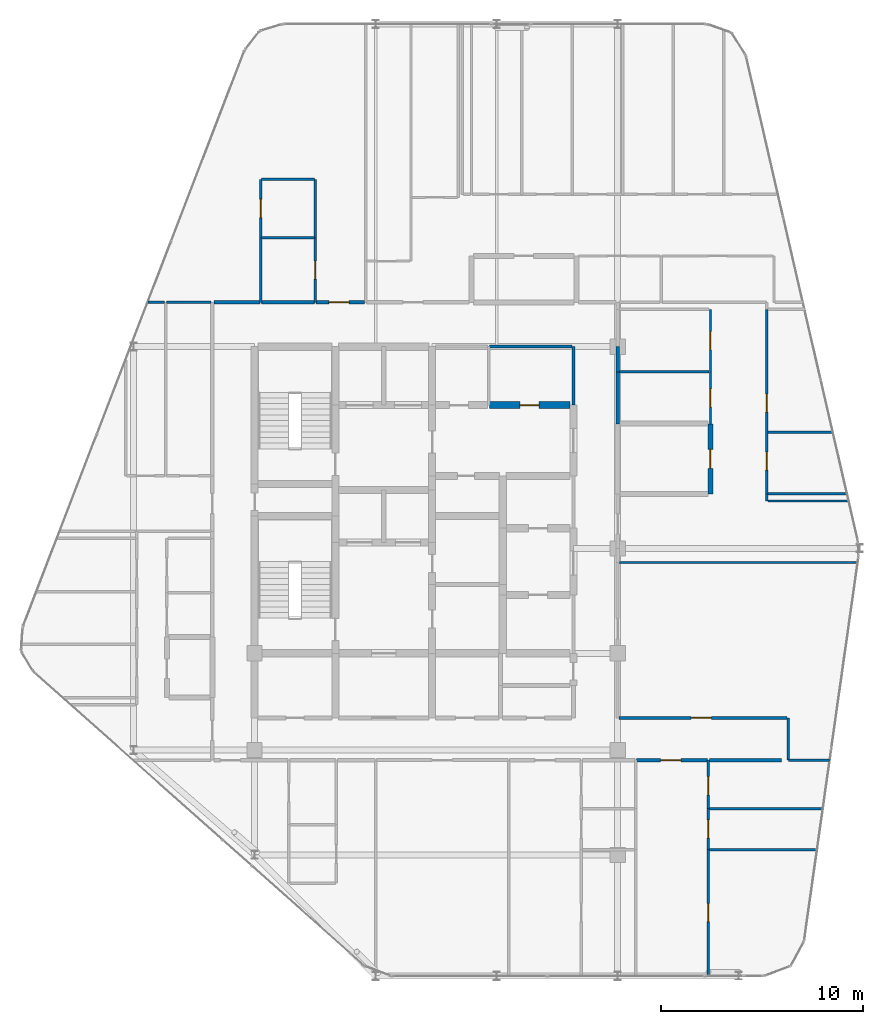
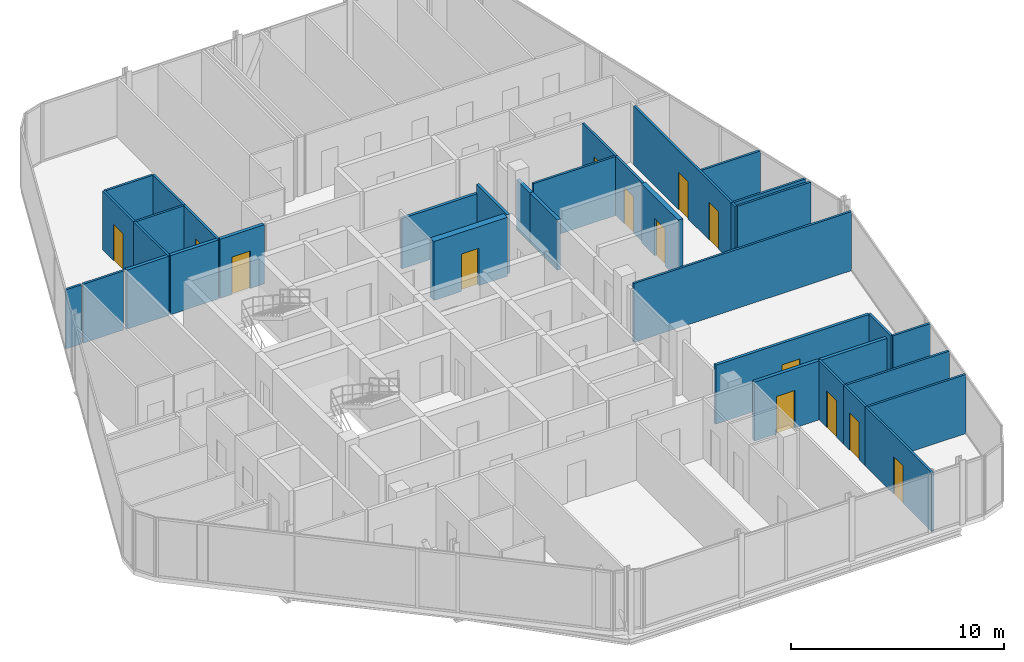
# One storey, part 28 of 31: 36 walls, 14 doors, 14 openings.
"""IFC4 building model written with IfcOpenShell, lengths in metres."""

import ifcopenshell
import ifcopenshell.guid

model = None  # the IFC model being written
_history = None  # IfcOwnerHistory: only IFC2X3 demands one
_inside = {}  # id of a spatial element -> (the spatial element, [elements in it])
_under = {}  # id of a project, library or spatial element -> (it, [spatial elements below it])
_declared = {}  # id of a project -> (the project, [libraries it declares])
_typed = {}  # id of a type object -> (the type object, [elements of that type])
_made_of = {}  # id of a material, layer set ... -> (it, [elements and type objects made of it])


def new_model(schema):
    """Start an empty IFC model of exactly this schema.

    Asked for "IFC4X3", IfcOpenShell would pick the latest addendum, in which some entities
    have other attributes; the version numbers below select the first issue.
    IFC2X3 requires an IfcOwnerHistory on every rooted entity: one is made here for all.
    """
    global model, _history
    if schema == "IFC4X3":
        model = ifcopenshell.file(schema_version=(4, 3, 0, 0))
    else:
        model = ifcopenshell.file(schema=schema)
    _inside.clear()
    _under.clear()
    _declared.clear()
    _typed.clear()
    _made_of.clear()
    _history = None
    if model.schema == "IFC2X3":
        org = make("IfcOrganization", Name="unknown")
        user = make(
            "IfcPersonAndOrganization",
            ThePerson=make("IfcPerson", FamilyName="unknown"),
            TheOrganization=org,
        )
        app = make(
            "IfcApplication",
            ApplicationDeveloper=org,
            Version="unknown",
            ApplicationFullName="unknown",
            ApplicationIdentifier="unknown",
        )
        _history = make(
            "IfcOwnerHistory",
            OwningUser=user,
            OwningApplication=app,
            ChangeAction="ADDED",
            CreationDate=0,
        )
    return model


def make(cls, **values):
    """One entity of the class cls with the attributes given. An attribute that is None is left unset."""
    return model.create_entity(
        cls, **{name: value for name, value in values.items() if value is not None}
    )


def rooted(cls, **values):
    """An entity with a GlobalId (a new one), such as an element, a storey or a relation."""
    return make(cls, GlobalId=ifcopenshell.guid.new(), OwnerHistory=_history, **values)


def si_unit(unit_type, name, prefix=None):
    """IfcSIUnit, for example si_unit("LENGTHUNIT", "METRE", prefix="MILLI")."""
    return make("IfcSIUnit", UnitType=unit_type, Prefix=prefix, Name=name)


def assignment(units):
    """IfcUnitAssignment: the units of a project."""
    return None if units is None else make("IfcUnitAssignment", Units=units)


def point(xyz):
    """IfcCartesianPoint."""
    return None if xyz is None else make("IfcCartesianPoint", Coordinates=xyz)


def direction(xyz):
    """IfcDirection."""
    return None if xyz is None else make("IfcDirection", DirectionRatios=xyz)


def frame(location, z_axis=None, x_axis=None):
    """IfcAxis2Placement3D, a coordinate frame: its origin and axes. An axis left out is left unset."""
    return make(
        "IfcAxis2Placement3D",
        Location=point(location),
        Axis=direction(z_axis),
        RefDirection=direction(x_axis),
    )


def frame_2d(location, x_axis=None):
    """IfcAxis2Placement2D, a coordinate frame in the plane: its origin and x axis."""
    return make(
        "IfcAxis2Placement2D", Location=point(location), RefDirection=direction(x_axis)
    )


def origin():
    """The frame at (0, 0, 0) with its axes left unset."""
    return frame((0.0, 0.0, 0.0))


def place(relative_to, where):
    """IfcLocalPlacement: puts the frame where relative to a parent placement (None: the world)."""
    return make(
        "IfcLocalPlacement", PlacementRelTo=relative_to, RelativePlacement=where
    )


def context(
    kind, dimensions, precision=None, world=None, true_north=None, identifier=None
):
    """IfcGeometricRepresentationContext, for example the 3D "Model" context."""
    return make(
        "IfcGeometricRepresentationContext",
        ContextIdentifier=identifier,
        ContextType=kind,
        CoordinateSpaceDimension=dimensions,
        Precision=precision,
        WorldCoordinateSystem=world,
        TrueNorth=true_north,
    )


def subcontext(parent, identifier, kind, view, scale=None):
    """IfcGeometricRepresentationSubContext, for example "Body" below "Model"."""
    return make(
        "IfcGeometricRepresentationSubContext",
        ContextIdentifier=identifier,
        ContextType=kind,
        ParentContext=parent,
        TargetScale=scale,
        TargetView=view,
    )


def project(units=None, contexts=None):
    """IfcProject with its units and contexts."""
    return rooted(
        "IfcProject",
        Name="project",
        RepresentationContexts=contexts,
        UnitsInContext=assignment(units),
    )


def spatial(cls, under=None, at=None, **own):
    """A site, building, storey or space (cls), placed at a placement, below another one or the project."""
    s = rooted(cls, ObjectPlacement=at, **own)
    if under is not None:
        _under.setdefault(under.id(), (under, []))[1].append(s)
    return s


def profile(cls, at=None, kind="AREA", **sizes):
    """A parametric profile (cls). Its sizes go by their IFC names, for example OverallWidth=200.0."""
    return make(cls, ProfileType=kind, Position=at, **sizes)


def rectangle(**sizes):
    """IfcRectangleProfileDef."""
    return profile("IfcRectangleProfileDef", **sizes)


def extrude(swept, where, along, depth):
    """IfcExtrudedAreaSolid: the profile swept, set in the frame where, extruded along a direction by depth."""
    return make(
        "IfcExtrudedAreaSolid",
        SweptArea=swept,
        Position=where,
        ExtrudedDirection=direction(along),
        Depth=depth,
    )


def shape(context_of_items, identifier, shape_type, items):
    """IfcShapeRepresentation: the items that make up one representation, for example the "Body"."""
    return make(
        "IfcShapeRepresentation",
        ContextOfItems=context_of_items,
        RepresentationIdentifier=identifier,
        RepresentationType=shape_type,
        Items=items,
    )


def material(Name=None, Category=None):
    """IfcMaterial."""
    return make("IfcMaterial", Name=Name, Category=Category)


def layer(
    of_material, thickness, ventilated=None, Name=None, Category=None, Priority=None
):
    """IfcMaterialLayer: one layer of a wall or slab, of a material (None: an air gap)."""
    return make(
        "IfcMaterialLayer",
        Material=of_material,
        LayerThickness=thickness,
        IsVentilated=ventilated,
        Name=Name,
        Category=Category,
        Priority=Priority,
    )


def layer_set(layers, Name=None):
    """IfcMaterialLayerSet."""
    return make("IfcMaterialLayerSet", MaterialLayers=layers, LayerSetName=Name)


def made_of(thing, what):
    """Note that an element or type object is made of a material, layer set ...; save() writes the relation."""
    if what is not None:
        _made_of.setdefault(what.id(), (what, []))[1].append(thing)
    return thing


def type_object(cls, material=None, **own):
    """A type object (cls), such as IfcWallType, which elements share."""
    return made_of(rooted(cls, **own), material)


def element(
    cls,
    number,
    at=None,
    inside=None,
    cuts=None,
    type_object=None,
    material=None,
    context=None,
    identifier="Body",
    shape_type=None,
    held_by="IfcProductDefinitionShape",
    body=None,
    shapes=None,
    **own,
):
    """One element of the class cls, such as IfcWall. Its Tag is "e" and its number.

    at: its placement. inside: the storey or other place that contains it. cuts: it is an
    opening in that element (IfcRelVoidsElement). A single representation is given by context,
    identifier, shape_type and body (its items); several are given by shapes. held_by: the class
    of the entity that holds the representations. save() writes the other relations.
    """
    e = rooted(cls, Tag="e%d" % number, ObjectPlacement=at, **own)
    if body is not None:
        shapes = [shape(context, identifier, shape_type, body)]
    if shapes is not None:
        e.Representation = make(held_by, Representations=shapes)
    if inside is not None:
        _inside.setdefault(inside.id(), (inside, []))[1].append(e)
    if cuts is not None:
        rooted(
            "IfcRelVoidsElement", RelatingBuildingElement=cuts, RelatedOpeningElement=e
        )
    if type_object is not None:
        _typed.setdefault(type_object.id(), (type_object, []))[1].append(e)
    return made_of(e, material)


def fill(opening, filler):
    """IfcRelFillsElement: the door or window that sits in an opening."""
    return rooted(
        "IfcRelFillsElement",
        RelatingOpeningElement=opening,
        RelatedBuildingElement=filler,
    )


def aggregate(whole, parts):
    """IfcRelAggregates: a whole, such as a stair, and the parts it consists of."""
    return rooted("IfcRelAggregates", RelatingObject=whole, RelatedObjects=parts)


def save(model, path):
    """Write the relations noted so far, then the file.

    IfcRelAggregates (storeys below a building ...), IfcRelContainedInSpatialStructure (elements
    in a storey), IfcRelDefinesByType, IfcRelAssociatesMaterial and IfcRelDeclares: one each for
    every whole, place, type object, material and project.
    """
    for whole, parts in _under.values():
        aggregate(whole, parts)
    for where, things in _inside.values():
        rooted(
            "IfcRelContainedInSpatialStructure",
            RelatedElements=things,
            RelatingStructure=where,
        )
    for kind, things in _typed.values():
        rooted("IfcRelDefinesByType", RelatedObjects=things, RelatingType=kind)
    for what, things in _made_of.values():
        rooted("IfcRelAssociatesMaterial", RelatedObjects=things, RelatingMaterial=what)
    for by, libraries in _declared.values():
        rooted("IfcRelDeclares", RelatingContext=by, RelatedDefinitions=libraries)
    model.write(path)


model = new_model("IFC4")

# Units and contexts
model_context = context("Model", 3, precision=1e-05, world=origin(), true_north=direction((0.0, 1.0)))
body_context = subcontext(model_context, "Body", "Model", "MODEL_VIEW")
ifc_project = project(units=[si_unit("LENGTHUNIT", "METRE"), si_unit("AREAUNIT", "SQUARE_METRE"), si_unit("VOLUMEUNIT", "CUBIC_METRE"), si_unit("PLANEANGLEUNIT", "RADIAN"), si_unit("MASSUNIT", "GRAM", prefix="KILO")], contexts=[model_context])

# Site, building, storey
site_placement = place(None, origin())
site = spatial("IfcSite", under=ifc_project, at=site_placement, CompositionType="ELEMENT")
building_placement = place(site_placement, origin())
building = spatial("IfcBuilding", under=site, at=building_placement, Name="Keshet Zoharim Tower", CompositionType="ELEMENT")
storey_placement = place(building_placement, frame((0.0, 0.0, 276.89990234375)))
storey = spatial("IfcBuildingStorey", under=building, at=storey_placement, Name="L69", CompositionType="ELEMENT", Elevation=276.89990234375)

# Wall
ifc_material_1 = material(Name="Gypsum Plasterboard", Category="gypsum")
ifc_layer_1 = layer(ifc_material_1, 0.14990234375)
ifc_layer_set_1 = layer_set([ifc_layer_1], Name="Gypsum Plasterboard")
wall_type_1 = type_object("IfcWallType", Name="WL-CLIN-150", PredefinedType="STANDARD", material=ifc_layer_set_1)
wall_1_placement = place(storey_placement, frame((30.800048828125, 35.0, 0.0), z_axis=(0.0, 0.0, 1.0), x_axis=(0.0, 1.0, 0.0)))
element("IfcWall", 1, at=wall_1_placement, inside=storey, type_object=wall_type_1, Name="L69 Interior Wall 067", PredefinedType="STANDARD", context=body_context, shape_type="SweptSolid", body=[
    extrude(rectangle(XDim=2.89990234375, YDim=0.14990234375, at=frame_2d((1.449951171875, 0.0))), origin(), (0.0, 0.0, 1.0), 3.39013671875),
])

# Wall, opening, door
wall_2_placement = place(storey_placement, frame((33.06005859375, 19.5, 0.0), z_axis=(0.0, 0.0, 1.0), x_axis=(1.0, 0.0, 0.0)))
wall_2 = element("IfcWall", 2, at=wall_2_placement, inside=storey, type_object=wall_type_1, Name="L69 Interior Wall 116", PredefinedType="STANDARD", context=body_context, shape_type="SweptSolid", body=[
    extrude(rectangle(XDim=8.322998046875, YDim=0.14990234375, at=frame_2d((4.16162109375, 0.0))), origin(), (0.0, 0.0, 1.0), 3.39013671875),
])
opening_1_placement = place(wall_2_placement, frame((3.5830078125, 0.0, 0.0)))
opening_1 = element("IfcOpeningElement", 3, at=opening_1_placement, cuts=wall_2, Name="Opening D-F310", PredefinedType="OPENING", context=body_context, shape_type="SweptSolid", body=[
    extrude(rectangle(XDim=1.0, YDim=2.14990234375, at=frame_2d((0.5, 1.074951171875))), frame((0.0, 0.0849609375, 0.0), z_axis=(0.0, -1.0, 0.0), x_axis=(1.0, 0.0, 0.0)), (0.0, 0.0, 1.0), 0.169921875),
])
ifc_material_2 = material(Name="Hardwood Timber", Category="wood")
door_type_1 = type_object("IfcDoorType", Name="DR-FD30-100", OperationType="NOTDEFINED", PredefinedType="DOOR", material=ifc_material_2)
door_1_placement = place(opening_1_placement, origin())
door_1 = element("IfcDoor", 4, at=door_1_placement, inside=storey, type_object=door_type_1, Name="L69 South West Residents Services Suite Door 1", OperationType="SINGLE_SWING_RIGHT", OverallHeight=2.14990234375, OverallWidth=1.0, PredefinedType="DOOR", context=body_context, shape_type="SweptSolid", body=[
    extrude(rectangle(XDim=1.0, YDim=2.14990234375, at=frame_2d((0.5, 1.074951171875))), frame((0.0, 0.02490234375, 0.0), z_axis=(0.0, -1.0, 0.0), x_axis=(1.0, 0.0, 0.0)), (0.0, 0.0, 1.0), 0.050048828125),
])
fill(opening_1, door_1)

# Wall
wall_3_placement = place(storey_placement, frame((26.64501953125, 37.89990234375, 0.0), z_axis=(0.0, 0.0, 1.0), x_axis=(1.0, 0.0, 0.0)))
element("IfcWall", 5, at=wall_3_placement, inside=storey, type_object=wall_type_1, Name="L69 Interior Wall 158", PredefinedType="STANDARD", context=body_context, shape_type="SweptSolid", body=[
    extrude(rectangle(XDim=4.094970703125, YDim=0.14990234375, at=frame_2d((2.04736328125, 0.0))), origin(), (0.0, 0.0, 1.0), 2.89013671875),
])

# Wall, opening, door
ifc_material_3 = material(Name="Concrete C60/75", Category="concrete")
ifc_layer_2 = layer(ifc_material_3, 0.35009765625)
ifc_layer_set_2 = layer_set([ifc_layer_2], Name="Concrete C60/75")
wall_type_2 = type_object("IfcWallType", Name="WL-CORE-350", PredefinedType="SHEAR", material=ifc_layer_set_2)
wall_4_placement = place(storey_placement, frame((26.64501953125, 35.0, 0.0), z_axis=(0.0, 0.0, 1.0), x_axis=(1.0, 0.0, 0.0)))
wall_4 = element("IfcWall", 6, at=wall_4_placement, inside=storey, type_object=wall_type_2, Name="L69 Core Shear Wall 153", PredefinedType="SHEAR", context=body_context, shape_type="SweptSolid", body=[
    extrude(rectangle(XDim=3.994873046875, YDim=0.35009765625, at=frame_2d((1.99755859375, 0.0))), origin(), (0.0, 0.0, 1.0), 3.39013671875),
])
opening_2_placement = place(wall_4_placement, frame((1.508056640625, 0.0, 0.0)))
opening_2 = element("IfcOpeningElement", 7, at=opening_2_placement, cuts=wall_4, Name="Opening D-F695", PredefinedType="OPENING", context=body_context, shape_type="SweptSolid", body=[
    extrude(rectangle(XDim=0.949951171875, YDim=2.14990234375, at=frame_2d((0.47509765625, 1.074951171875))), frame((0.0, 0.18505859375, 0.0), z_axis=(0.0, -1.0, 0.0), x_axis=(1.0, 0.0, 0.0)), (0.0, 0.0, 1.0), 0.3701171875),
])
door_type_2 = type_object("IfcDoorType", Name="DR-FD60-095", OperationType="NOTDEFINED", PredefinedType="DOOR", material=ifc_material_2)
door_2_placement = place(opening_2_placement, frame((0.949951171875, 0.0, 0.0), z_axis=(0.0, 0.0, 1.0), x_axis=(-1.0, 0.0, 0.0)))
door_2 = element("IfcDoor", 8, at=door_2_placement, inside=storey, type_object=door_type_2, Name="L69 Quiet Study Room Door", OperationType="SINGLE_SWING_RIGHT", OverallHeight=2.14990234375, OverallWidth=0.949951171875, PredefinedType="DOOR", context=body_context, shape_type="SweptSolid", body=[
    extrude(rectangle(XDim=0.949951171875, YDim=2.14990234375, at=frame_2d((0.47509765625, 1.074951171875))), frame((0.0, 0.02490234375, 0.0), z_axis=(0.0, -1.0, 0.0), x_axis=(1.0, 0.0, 0.0)), (0.0, 0.0, 1.0), 0.050048828125),
])
fill(opening_2, door_2)

# Walls
ifc_layer_3 = layer(ifc_material_1, 0.179931640625)
ifc_layer_set_3 = layer_set([ifc_layer_3], Name="Gypsum Plasterboard")
wall_type_3 = type_object("IfcWallType", Name="WL-CORR-180", PredefinedType="STANDARD", material=ifc_layer_set_3)
wall_5_placement = place(storey_placement, frame((33.0, 34.076904296875, 0.0), z_axis=(0.0, 0.0, 1.0), x_axis=(0.0, 1.0, 0.0)))
element("IfcWall", 9, at=wall_5_placement, inside=storey, type_object=wall_type_3, Name="L69 Interior Wall 075", PredefinedType="STANDARD", context=body_context, shape_type="SweptSolid", body=[
    extrude(rectangle(XDim=2.56201171875, YDim=0.179931640625, at=frame_2d((1.281005859375, 0.0))), origin(), (0.0, 0.0, 1.0), 2.89013671875),
])
wall_6_placement = place(storey_placement, frame((33.0, 36.638916015625, 0.0), z_axis=(0.0, 0.0, 1.0), x_axis=(0.0, 1.0, 0.0)))
element("IfcWall", 10, at=wall_6_placement, inside=storey, type_object=wall_type_3, Name="L69 Interior Wall 076", PredefinedType="STANDARD", context=body_context, shape_type="SweptSolid", body=[
    extrude(rectangle(XDim=1.260986328125, YDim=0.179931640625, at=frame_2d((0.63037109375, 0.0))), origin(), (0.0, 0.0, 1.0), 2.89013671875),
])

# Wall, opening, door
wall_7_placement = place(storey_placement, frame((33.945068359375, 17.39990234375, 0.0), z_axis=(0.0, 0.0, 1.0), x_axis=(1.0, 0.0, 0.0)))
wall_7 = element("IfcWall", 11, at=wall_7_placement, inside=storey, type_object=wall_type_3, Name="L69 Interior Wall 109", PredefinedType="STANDARD", context=body_context, shape_type="SweptSolid", body=[
    extrude(rectangle(XDim=3.510009765625, YDim=0.179931640625, at=frame_2d((1.7548828125, 0.0))), origin(), (0.0, 0.0, 1.0), 3.39013671875),
])
opening_3_placement = place(wall_7_placement, frame((1.18505859375, 0.0, 0.0)))
opening_3 = element("IfcOpeningElement", 12, at=opening_3_placement, cuts=wall_7, Name="Opening D-F310", PredefinedType="OPENING", context=body_context, shape_type="SweptSolid", body=[
    extrude(rectangle(XDim=1.0, YDim=2.14990234375, at=frame_2d((0.5, 1.074951171875))), frame((0.0, 0.10009765625, 0.0), z_axis=(0.0, -1.0, 0.0), x_axis=(1.0, 0.0, 0.0)), (0.0, 0.0, 1.0), 0.199951171875),
])
door_3_placement = place(opening_3_placement, origin())
door_3 = element("IfcDoor", 13, at=door_3_placement, inside=storey, type_object=door_type_1, Name="Apartment 6903 Entrance Door", OperationType="SINGLE_SWING_LEFT", OverallHeight=2.14990234375, OverallWidth=1.0, PredefinedType="DOOR", context=body_context, shape_type="SweptSolid", body=[
    extrude(rectangle(XDim=1.0, YDim=2.14990234375, at=frame_2d((0.5, 1.074951171875))), frame((0.0, 0.02490234375, 0.0), z_axis=(0.0, -1.0, 0.0), x_axis=(1.0, 0.0, 0.0)), (0.0, 0.0, 1.0), 0.050048828125),
])
fill(opening_3, door_3)

# Walls
wall_8_placement = place(storey_placement, frame((37.544921875, 17.39990234375, 0.0), z_axis=(0.0, 0.0, 1.0), x_axis=(1.0, 0.0, 0.0)))
element("IfcWall", 14, at=wall_8_placement, inside=storey, type_object=wall_type_3, Name="L69 Interior Wall 110", PredefinedType="STANDARD", context=body_context, shape_type="SweptSolid", body=[
    extrude(rectangle(XDim=3.5849609375, YDim=0.179931640625, at=frame_2d((1.79248046875, 0.0))), origin(), (0.0, 0.0, 1.0), 3.39013671875),
])
wall_9_placement = place(storey_placement, frame((12.97509765625, 40.10009765625, 0.0), z_axis=(0.0, 0.0, 1.0), x_axis=(1.0, 0.0, 0.0)))
element("IfcWall", 15, at=wall_9_placement, inside=storey, type_object=wall_type_3, Name="L69 Interior Wall 163", PredefinedType="STANDARD", context=body_context, shape_type="SweptSolid", body=[
    extrude(rectangle(XDim=2.27978515625, YDim=0.179931640625, at=frame_2d((1.139892578125, 0.0))), origin(), (0.0, 0.0, 1.0), 3.39013671875),
])
wall_10_placement = place(storey_placement, frame((15.344970703125, 40.10009765625, 0.0), z_axis=(0.0, 0.0, 1.0), x_axis=(1.0, 0.0, 0.0)))
element("IfcWall", 16, at=wall_10_placement, inside=storey, type_object=wall_type_3, Name="L69 Interior Wall 164", PredefinedType="STANDARD", context=body_context, shape_type="SweptSolid", body=[
    extrude(rectangle(XDim=2.610107421875, YDim=0.179931640625, at=frame_2d((1.30517578125, 0.0))), origin(), (0.0, 0.0, 1.0), 3.39013671875),
])

# Wall, opening, door
wall_11_placement = place(storey_placement, frame((18.044921875, 40.10009765625, 0.0), z_axis=(0.0, 0.0, 1.0), x_axis=(1.0, 0.0, 0.0)))
wall_11 = element("IfcWall", 17, at=wall_11_placement, inside=storey, type_object=wall_type_3, Name="L69 Interior Wall 165", PredefinedType="STANDARD", context=body_context, shape_type="SweptSolid", body=[
    extrude(rectangle(XDim=2.41015625, YDim=0.179931640625, at=frame_2d((1.205078125, 0.0))), origin(), (0.0, 0.0, 1.0), 3.39013671875),
])
opening_4_placement = place(wall_11_placement, frame((0.634033203125, 0.0, 0.0)))
opening_4 = element("IfcOpeningElement", 18, at=opening_4_placement, cuts=wall_11, Name="Opening D-F310", PredefinedType="OPENING", context=body_context, shape_type="SweptSolid", body=[
    extrude(rectangle(XDim=1.0, YDim=2.14990234375, at=frame_2d((0.5, 1.074951171875))), frame((0.0, 0.10009765625, 0.0), z_axis=(0.0, -1.0, 0.0), x_axis=(1.0, 0.0, 0.0)), (0.0, 0.0, 1.0), 0.199951171875),
])
door_4_placement = place(opening_4_placement, origin())
door_4 = element("IfcDoor", 19, at=door_4_placement, inside=storey, type_object=door_type_1, Name="Apartment 6904 Entrance Door", OperationType="SINGLE_SWING_LEFT", OverallHeight=2.14990234375, OverallWidth=1.0, PredefinedType="DOOR", context=body_context, shape_type="SweptSolid", body=[
    extrude(rectangle(XDim=1.0, YDim=2.14990234375, at=frame_2d((0.5, 1.074951171875))), frame((0.0, 0.02490234375, 0.0), z_axis=(0.0, -1.0, 0.0), x_axis=(1.0, 0.0, 0.0)), (0.0, 0.0, 1.0), 0.050048828125),
])
fill(opening_4, door_4)

ifc_material_4 = material(Name="Concrete C50/60", Category="concrete")
ifc_layer_4 = layer(ifc_material_4, 0.25)
ifc_layer_set_4 = layer_set([ifc_layer_4], Name="Concrete C50/60")
wall_type_4 = type_object("IfcWallType", Name="WL-MAMAD-250", PredefinedType="STANDARD", material=ifc_layer_set_4)
wall_12_placement = place(storey_placement, frame((37.60009765625, 30.60009765625, 0.0), z_axis=(0.0, 0.0, 1.0), x_axis=(0.0, 1.0, 0.0)))
wall_12 = element("IfcWall", 20, at=wall_12_placement, inside=storey, type_object=wall_type_4, Name="L69 Interior Wall 087", PredefinedType="STANDARD", context=body_context, shape_type="SweptSolid", body=[
    extrude(rectangle(XDim=3.476806640625, YDim=0.25, at=frame_2d((1.73828125, 0.0))), origin(), (0.0, 0.0, 1.0), 3.39013671875),
])
opening_5_placement = place(wall_12_placement, frame((1.262939453125, 0.0, 0.0)))
opening_5 = element("IfcOpeningElement", 21, at=opening_5_placement, cuts=wall_12, Name="Opening D-F695", PredefinedType="OPENING", context=body_context, shape_type="SweptSolid", body=[
    extrude(rectangle(XDim=0.949951171875, YDim=2.14990234375, at=frame_2d((0.47509765625, 1.074951171875))), frame((0.0, 0.135009765625, 0.0), z_axis=(0.0, -1.0, 0.0), x_axis=(1.0, 0.0, 0.0)), (0.0, 0.0, 1.0), 0.27001953125),
])
door_5_placement = place(opening_5_placement, origin())
door_5 = element("IfcDoor", 22, at=door_5_placement, inside=storey, type_object=door_type_2, Name="Apartment 6908 Study and Shelter Room Door", OperationType="SINGLE_SWING_LEFT", OverallHeight=2.14990234375, OverallWidth=0.949951171875, PredefinedType="DOOR", context=body_context, shape_type="SweptSolid", body=[
    extrude(rectangle(XDim=0.949951171875, YDim=2.14990234375, at=frame_2d((0.47509765625, 1.074951171875))), frame((0.0, 0.02490234375, 0.0), z_axis=(0.0, -1.0, 0.0), x_axis=(1.0, 0.0, 0.0)), (0.0, 0.0, 1.0), 0.050048828125),
])
fill(opening_5, door_5)

# Wall
ifc_layer_5 = layer(ifc_material_1, 0.1201171875)
ifc_layer_set_5 = layer_set([ifc_layer_5], Name="Gypsum Plasterboard")
wall_type_5 = type_object("IfcWallType", Name="WL-PART-120", PredefinedType="PARTITIONING", material=ifc_layer_set_5)
wall_13_placement = place(storey_placement, frame((15.300048828125, 40.10009765625, 0.0), z_axis=(0.0, 0.0, 1.0), x_axis=(0.0, 1.0, 0.0)))
element("IfcWall", 23, at=wall_13_placement, inside=storey, type_object=wall_type_5, Name="L69 Interior Wall 020", PredefinedType="PARTITIONING", context=body_context, shape_type="SweptSolid", body=[
    extrude(rectangle(XDim=3.199951171875, YDim=0.1201171875, at=frame_2d((1.60009765625, 0.0))), origin(), (0.0, 0.0, 1.0), 3.39013671875),
])

# Wall, opening, door
wall_14_placement = place(storey_placement, frame((18.0, 40.10009765625, 0.0), z_axis=(0.0, 0.0, 1.0), x_axis=(0.0, 1.0, 0.0)))
wall_14 = element("IfcWall", 24, at=wall_14_placement, inside=storey, type_object=wall_type_5, Name="L69 Interior Wall 024", PredefinedType="PARTITIONING", context=body_context, shape_type="SweptSolid", body=[
    extrude(rectangle(XDim=3.199951171875, YDim=0.1201171875, at=frame_2d((1.60009765625, 0.0))), origin(), (0.0, 0.0, 1.0), 3.39013671875),
])
opening_6_placement = place(wall_14_placement, frame((1.14990234375, 0.0, 0.0)))
opening_6 = element("IfcOpeningElement", 25, at=opening_6_placement, cuts=wall_14, Name="Opening D-IN90", PredefinedType="OPENING", context=body_context, shape_type="SweptSolid", body=[
    extrude(rectangle(XDim=0.89990234375, YDim=2.14990234375, at=frame_2d((0.449951171875, 1.074951171875))), frame((0.0, 0.070068359375, 0.0), z_axis=(0.0, -1.0, 0.0), x_axis=(1.0, 0.0, 0.0)), (0.0, 0.0, 1.0), 0.14013671875),
])
door_type_3 = type_object("IfcDoorType", Name="DR-INT-090", OperationType="NOTDEFINED", PredefinedType="DOOR", material=ifc_material_2)
door_6_placement = place(opening_6_placement, origin())
door_6 = element("IfcDoor", 26, at=door_6_placement, inside=storey, type_object=door_type_3, Name="Apartment 6904 Kitchenette Door", OperationType="SINGLE_SWING_LEFT", OverallHeight=2.14990234375, OverallWidth=0.89990234375, PredefinedType="DOOR", context=body_context, shape_type="SweptSolid", body=[
    extrude(rectangle(XDim=0.89990234375, YDim=2.14990234375, at=frame_2d((0.449951171875, 1.074951171875))), frame((0.0, 0.02490234375, 0.0), z_axis=(0.0, -1.0, 0.0), x_axis=(1.0, 0.0, 0.0)), (0.0, 0.0, 1.0), 0.050048828125),
])
fill(opening_6, door_6)

wall_15_placement = place(storey_placement, frame((37.5, 6.7099609375, 0.0), z_axis=(0.0, 0.0, 1.0), x_axis=(0.0, 1.0, 0.0)))
wall_15 = element("IfcWall", 27, at=wall_15_placement, inside=storey, type_object=wall_type_5, Name="L69 Interior Wall 084", PredefinedType="PARTITIONING", context=body_context, shape_type="SweptSolid", body=[
    extrude(rectangle(XDim=6.260009765625, YDim=0.1201171875, at=frame_2d((3.1298828125, 0.0))), origin(), (0.0, 0.0, 1.0), 3.39013671875),
])
opening_7_placement = place(wall_15_placement, frame((2.679931640625, 0.0, 0.0)))
opening_7 = element("IfcOpeningElement", 28, at=opening_7_placement, cuts=wall_15, Name="Opening D-IN90", PredefinedType="OPENING", context=body_context, shape_type="SweptSolid", body=[
    extrude(rectangle(XDim=0.89990234375, YDim=2.14990234375, at=frame_2d((0.449951171875, 1.074951171875))), frame((0.0, 0.070068359375, 0.0), z_axis=(0.0, -1.0, 0.0), x_axis=(1.0, 0.0, 0.0)), (0.0, 0.0, 1.0), 0.14013671875),
])
door_7_placement = place(opening_7_placement, origin())
door_7 = element("IfcDoor", 29, at=door_7_placement, inside=storey, type_object=door_type_3, Name="Apartment 6903 Bedroom 1 Door", OperationType="SINGLE_SWING_RIGHT", OverallHeight=2.14990234375, OverallWidth=0.89990234375, PredefinedType="DOOR", context=body_context, shape_type="SweptSolid", body=[
    extrude(rectangle(XDim=0.89990234375, YDim=2.14990234375, at=frame_2d((0.449951171875, 1.074951171875))), frame((0.0, 0.02490234375, 0.0), z_axis=(0.0, -1.0, 0.0), x_axis=(1.0, 0.0, 0.0)), (0.0, 0.0, 1.0), 0.050048828125),
])
fill(opening_7, door_7)

wall_16_placement = place(storey_placement, frame((37.5, 12.969970703125, 0.0), z_axis=(0.0, 0.0, 1.0), x_axis=(0.0, 1.0, 0.0)))
wall_16 = element("IfcWall", 30, at=wall_16_placement, inside=storey, type_object=wall_type_5, Name="L69 Interior Wall 085", PredefinedType="PARTITIONING", context=body_context, shape_type="SweptSolid", body=[
    extrude(rectangle(XDim=2.0380859375, YDim=0.1201171875, at=frame_2d((1.01904296875, 0.0))), origin(), (0.0, 0.0, 1.0), 3.39013671875),
])
opening_8_placement = place(wall_16_placement, frame((0.569091796875, 0.0, 0.0)))
opening_8 = element("IfcOpeningElement", 31, at=opening_8_placement, cuts=wall_16, Name="Opening D-IN90", PredefinedType="OPENING", context=body_context, shape_type="SweptSolid", body=[
    extrude(rectangle(XDim=0.89990234375, YDim=2.14990234375, at=frame_2d((0.449951171875, 1.074951171875))), frame((0.0, 0.070068359375, 0.0), z_axis=(0.0, -1.0, 0.0), x_axis=(1.0, 0.0, 0.0)), (0.0, 0.0, 1.0), 0.14013671875),
])
door_8_placement = place(opening_8_placement, origin())
door_8 = element("IfcDoor", 32, at=door_8_placement, inside=storey, type_object=door_type_3, Name="Apartment 6903 Kitchen Door", OperationType="SINGLE_SWING_LEFT", OverallHeight=2.14990234375, OverallWidth=0.89990234375, PredefinedType="DOOR", context=body_context, shape_type="SweptSolid", body=[
    extrude(rectangle(XDim=0.89990234375, YDim=2.14990234375, at=frame_2d((0.449951171875, 1.074951171875))), frame((0.0, 0.02490234375, 0.0), z_axis=(0.0, -1.0, 0.0), x_axis=(1.0, 0.0, 0.0)), (0.0, 0.0, 1.0), 0.050048828125),
])
fill(opening_8, door_8)

wall_17_placement = place(storey_placement, frame((37.60009765625, 36.638916015625, 0.0), z_axis=(0.0, 0.0, 1.0), x_axis=(0.0, 1.0, 0.0)))
wall_17 = element("IfcWall", 33, at=wall_17_placement, inside=storey, type_object=wall_type_5, Name="L69 Interior Wall 089", PredefinedType="PARTITIONING", context=body_context, shape_type="SweptSolid", body=[
    extrude(rectangle(XDim=3.111083984375, YDim=0.1201171875, at=frame_2d((1.5556640625, 0.0))), origin(), (0.0, 0.0, 1.0), 3.39013671875),
])
opening_9_placement = place(wall_17_placement, frame((1.10595703125, 0.0, 0.0)))
opening_9 = element("IfcOpeningElement", 34, at=opening_9_placement, cuts=wall_17, Name="Opening D-IN90", PredefinedType="OPENING", context=body_context, shape_type="SweptSolid", body=[
    extrude(rectangle(XDim=0.89990234375, YDim=2.14990234375, at=frame_2d((0.449951171875, 1.074951171875))), frame((0.0, 0.070068359375, 0.0), z_axis=(0.0, -1.0, 0.0), x_axis=(1.0, 0.0, 0.0)), (0.0, 0.0, 1.0), 0.14013671875),
])
door_9_placement = place(opening_9_placement, origin())
door_9 = element("IfcDoor", 35, at=door_9_placement, inside=storey, type_object=door_type_3, Name="Apartment 6908 Kitchen Door", OperationType="SINGLE_SWING_LEFT", OverallHeight=2.14990234375, OverallWidth=0.89990234375, PredefinedType="DOOR", context=body_context, shape_type="SweptSolid", body=[
    extrude(rectangle(XDim=0.89990234375, YDim=2.14990234375, at=frame_2d((0.449951171875, 1.074951171875))), frame((0.0, 0.02490234375, 0.0), z_axis=(0.0, -1.0, 0.0), x_axis=(1.0, 0.0, 0.0)), (0.0, 0.0, 1.0), 0.050048828125),
])
fill(opening_9, door_9)

# Wall
wall_18_placement = place(storey_placement, frame((40.39990234375, 30.25, 0.0), z_axis=(0.0, 0.0, 1.0), x_axis=(0.0, 1.0, 0.0)))
element("IfcWall", 36, at=wall_18_placement, inside=storey, type_object=wall_type_5, Name="L69 Interior Wall 091", PredefinedType="PARTITIONING", context=body_context, shape_type="SweptSolid", body=[
    extrude(rectangle(XDim=0.35009765625, YDim=0.1201171875, at=frame_2d((0.175048828125, 0.0))), origin(), (0.0, 0.0, 1.0), 3.39013671875),
])

# Wall, openings, doors
wall_19_placement = place(storey_placement, frame((40.39990234375, 30.60009765625, 0.0), z_axis=(0.0, 0.0, 1.0), x_axis=(0.0, 1.0, 0.0)))
wall_19 = element("IfcWall", 37, at=wall_19_placement, inside=storey, type_object=wall_type_5, Name="L69 Interior Wall 092", PredefinedType="PARTITIONING", context=body_context, shape_type="SweptSolid", body=[
    extrude(rectangle(XDim=9.14990234375, YDim=0.1201171875, at=frame_2d((4.574951171875, 0.0))), origin(), (0.0, 0.0, 1.0), 3.39013671875),
])
opening_10_placement = place(wall_19_placement, frame((1.177978515625, 0.0, 0.0)))
opening_10 = element("IfcOpeningElement", 38, at=opening_10_placement, cuts=wall_19, Name="Opening D-IN90", PredefinedType="OPENING", context=body_context, shape_type="SweptSolid", body=[
    extrude(rectangle(XDim=0.89990234375, YDim=2.14990234375, at=frame_2d((0.449951171875, 1.074951171875))), frame((0.0, 0.070068359375, 0.0), z_axis=(0.0, -1.0, 0.0), x_axis=(1.0, 0.0, 0.0)), (0.0, 0.0, 1.0), 0.14013671875),
])
opening_11_placement = place(wall_19_placement, frame((4.051025390625, 0.0, 0.0)))
opening_11 = element("IfcOpeningElement", 39, at=opening_11_placement, cuts=wall_19, Name="Opening D-IN90", PredefinedType="OPENING", context=body_context, shape_type="SweptSolid", body=[
    extrude(rectangle(XDim=0.89990234375, YDim=2.14990234375, at=frame_2d((0.449951171875, 1.074951171875))), frame((0.0, 0.070068359375, 0.0), z_axis=(0.0, -1.0, 0.0), x_axis=(1.0, 0.0, 0.0)), (0.0, 0.0, 1.0), 0.14013671875),
])
door_10_placement = place(opening_10_placement, origin())
door_10 = element("IfcDoor", 40, at=door_10_placement, inside=storey, type_object=door_type_3, Name="Apartment 6908 Bedroom 1 Door", OperationType="SINGLE_SWING_RIGHT", OverallHeight=2.14990234375, OverallWidth=0.89990234375, PredefinedType="DOOR", context=body_context, shape_type="SweptSolid", body=[
    extrude(rectangle(XDim=0.89990234375, YDim=2.14990234375, at=frame_2d((0.449951171875, 1.074951171875))), frame((0.0, 0.02490234375, 0.0), z_axis=(0.0, -1.0, 0.0), x_axis=(1.0, 0.0, 0.0)), (0.0, 0.0, 1.0), 0.050048828125),
])
fill(opening_10, door_10)
door_11_placement = place(opening_11_placement, origin())
door_11 = element("IfcDoor", 41, at=door_11_placement, inside=storey, type_object=door_type_3, Name="Apartment 6908 Bedroom 2 Door", OperationType="SINGLE_SWING_LEFT", OverallHeight=2.14990234375, OverallWidth=0.89990234375, PredefinedType="DOOR", context=body_context, shape_type="SweptSolid", body=[
    extrude(rectangle(XDim=0.89990234375, YDim=2.14990234375, at=frame_2d((0.449951171875, 1.074951171875))), frame((0.0, 0.02490234375, 0.0), z_axis=(0.0, -1.0, 0.0), x_axis=(1.0, 0.0, 0.0)), (0.0, 0.0, 1.0), 0.050048828125),
])
fill(opening_11, door_11)

# Walls
wall_20_placement = place(storey_placement, frame((41.449951171875, 17.39990234375, 0.0), z_axis=(0.0, 0.0, 1.0), x_axis=(0.0, 1.0, 0.0)))
element("IfcWall", 42, at=wall_20_placement, inside=storey, type_object=wall_type_5, Name="L69 Interior Wall 095", PredefinedType="PARTITIONING", context=body_context, shape_type="SweptSolid", body=[
    extrude(rectangle(XDim=2.09912109375, YDim=0.1201171875, at=frame_2d((1.049560546875, 0.0))), origin(), (0.0, 0.0, 1.0), 3.39013671875),
])
wall_21_placement = place(storey_placement, frame((37.544921875, 12.949951171875, 0.0), z_axis=(0.0, 0.0, 1.0), x_axis=(1.0, 0.0, 0.0)))
element("IfcWall", 43, at=wall_21_placement, inside=storey, type_object=wall_type_5, Name="L69 Interior Wall 098", PredefinedType="PARTITIONING", context=body_context, shape_type="SweptSolid", body=[
    extrude(rectangle(XDim=5.3291015625, YDim=0.1201171875, at=frame_2d((2.66455078125, 0.0))), origin(), (0.0, 0.0, 1.0), 3.39013671875),
])
wall_22_placement = place(storey_placement, frame((33.074951171875, 27.199951171875, 0.0), z_axis=(0.0, 0.0, 1.0), x_axis=(1.0, 0.0, 0.0)))
element("IfcWall", 44, at=wall_22_placement, inside=storey, type_object=wall_type_5, Name="L69 Interior Wall 131", PredefinedType="PARTITIONING", context=body_context, shape_type="SweptSolid", body=[
    extrude(rectangle(XDim=11.816162109375, YDim=0.1201171875, at=frame_2d((5.908203125, 0.0))), origin(), (0.0, 0.0, 1.0), 3.39013671875),
])
wall_23_placement = place(storey_placement, frame((40.465087890625, 30.25, 0.0), z_axis=(0.0, 0.0, 1.0), x_axis=(1.0, 0.0, 0.0)))
element("IfcWall", 45, at=wall_23_placement, inside=storey, type_object=wall_type_5, Name="L69 Interior Wall 140", PredefinedType="PARTITIONING", context=body_context, shape_type="SweptSolid", body=[
    extrude(rectangle(XDim=3.98193359375, YDim=0.1201171875, at=frame_2d((1.990966796875, 0.0))), origin(), (0.0, 0.0, 1.0), 3.39013671875),
])
wall_24_placement = place(storey_placement, frame((40.465087890625, 30.60009765625, 0.0), z_axis=(0.0, 0.0, 1.0), x_axis=(1.0, 0.0, 0.0)))
element("IfcWall", 46, at=wall_24_placement, inside=storey, type_object=wall_type_5, Name="L69 Interior Wall 142", PredefinedType="PARTITIONING", context=body_context, shape_type="SweptSolid", body=[
    extrude(rectangle(XDim=3.90185546875, YDim=0.1201171875, at=frame_2d((1.950927734375, 0.0))), origin(), (0.0, 0.0, 1.0), 3.39013671875),
])
wall_25_placement = place(storey_placement, frame((40.465087890625, 33.64990234375, 0.0), z_axis=(0.0, 0.0, 1.0), x_axis=(1.0, 0.0, 0.0)))
element("IfcWall", 47, at=wall_25_placement, inside=storey, type_object=wall_type_5, Name="L69 Interior Wall 149", PredefinedType="PARTITIONING", context=body_context, shape_type="SweptSolid", body=[
    extrude(rectangle(XDim=3.197998046875, YDim=0.1201171875, at=frame_2d((1.59912109375, 0.0))), origin(), (0.0, 0.0, 1.0), 3.39013671875),
])
wall_26_placement = place(storey_placement, frame((9.701904296875, 40.10009765625, 0.0), z_axis=(0.0, 0.0, 1.0), x_axis=(1.0, 0.0, 0.0)))
element("IfcWall", 48, at=wall_26_placement, inside=storey, type_object=wall_type_5, Name="L69 Interior Wall 161", PredefinedType="PARTITIONING", context=body_context, shape_type="SweptSolid", body=[
    extrude(rectangle(XDim=0.8310546875, YDim=0.1201171875, at=frame_2d((0.41552734375, 0.0))), origin(), (0.0, 0.0, 1.0), 3.39013671875),
])

# Wall, opening, door
ifc_layer_6 = layer(ifc_material_1, 0.1201171875)
ifc_layer_set_6 = layer_set([ifc_layer_6], Name="Gypsum Plasterboard")
wall_type_6 = type_object("IfcWallType", Name="WL-WET-120", PredefinedType="PARTITIONING", material=ifc_layer_set_6)
wall_27_placement = place(storey_placement, frame((15.300048828125, 43.300048828125, 0.0), z_axis=(0.0, 0.0, 1.0), x_axis=(0.0, 1.0, 0.0)))
wall_27 = element("IfcWall", 49, at=wall_27_placement, inside=storey, type_object=wall_type_6, Name="L69 Interior Wall 021", PredefinedType="PARTITIONING", context=body_context, shape_type="SweptSolid", body=[
    extrude(rectangle(XDim=2.89990234375, YDim=0.1201171875, at=frame_2d((1.449951171875, 0.0))), origin(), (0.0, 0.0, 1.0), 3.39013671875),
])
opening_12_placement = place(wall_27_placement, frame((1.0, 0.0, 0.0)))
opening_12 = element("IfcOpeningElement", 50, at=opening_12_placement, cuts=wall_27, Name="Opening D-WT90", PredefinedType="OPENING", context=body_context, shape_type="SweptSolid", body=[
    extrude(rectangle(XDim=0.89990234375, YDim=2.10009765625, at=frame_2d((0.449951171875, 1.050048828125))), frame((0.0, 0.070068359375, 0.0), z_axis=(0.0, -1.0, 0.0), x_axis=(1.0, 0.0, 0.0)), (0.0, 0.0, 1.0), 0.14013671875),
])
door_type_4 = type_object("IfcDoorType", Name="DR-WET-090", OperationType="NOTDEFINED", PredefinedType="DOOR", material=ifc_material_2)
door_12_placement = place(opening_12_placement, origin())
door_12 = element("IfcDoor", 51, at=door_12_placement, inside=storey, type_object=door_type_4, Name="Apartment 6904 Bathroom Door", OperationType="SINGLE_SWING_LEFT", OverallHeight=2.10009765625, OverallWidth=0.89990234375, PredefinedType="DOOR", context=body_context, shape_type="SweptSolid", body=[
    extrude(rectangle(XDim=0.89990234375, YDim=2.10009765625, at=frame_2d((0.449951171875, 1.050048828125))), frame((0.0, 0.02490234375, 0.0), z_axis=(0.0, -1.0, 0.0), x_axis=(1.0, 0.0, 0.0)), (0.0, 0.0, 1.0), 0.050048828125),
])
fill(opening_12, door_12)

# Wall
wall_28_placement = place(storey_placement, frame((18.0, 43.300048828125, 0.0), z_axis=(0.0, 0.0, 1.0), x_axis=(0.0, 1.0, 0.0)))
element("IfcWall", 52, at=wall_28_placement, inside=storey, type_object=wall_type_6, Name="L69 Interior Wall 025", PredefinedType="PARTITIONING", context=body_context, shape_type="SweptSolid", body=[
    extrude(rectangle(XDim=2.89990234375, YDim=0.1201171875, at=frame_2d((1.449951171875, 0.0))), origin(), (0.0, 0.0, 1.0), 3.39013671875),
])

# Wall, opening, door
wall_29_placement = place(storey_placement, frame((37.5, 15.008056640625, 0.0), z_axis=(0.0, 0.0, 1.0), x_axis=(0.0, 1.0, 0.0)))
wall_29 = element("IfcWall", 53, at=wall_29_placement, inside=storey, type_object=wall_type_6, Name="L69 Interior Wall 086", PredefinedType="PARTITIONING", context=body_context, shape_type="SweptSolid", body=[
    extrude(rectangle(XDim=2.391845703125, YDim=0.1201171875, at=frame_2d((1.19580078125, 0.0))), origin(), (0.0, 0.0, 1.0), 3.39013671875),
])
opening_13_placement = place(wall_29_placement, frame((0.675048828125, 0.0, 0.0)))
opening_13 = element("IfcOpeningElement", 54, at=opening_13_placement, cuts=wall_29, Name="Opening D-WT90", PredefinedType="OPENING", context=body_context, shape_type="SweptSolid", body=[
    extrude(rectangle(XDim=0.89990234375, YDim=2.10009765625, at=frame_2d((0.449951171875, 1.050048828125))), frame((0.0, 0.070068359375, 0.0), z_axis=(0.0, -1.0, 0.0), x_axis=(1.0, 0.0, 0.0)), (0.0, 0.0, 1.0), 0.14013671875),
])
door_13_placement = place(opening_13_placement, origin())
door_13 = element("IfcDoor", 55, at=door_13_placement, inside=storey, type_object=door_type_4, Name="Apartment 6903 Bathroom Door", OperationType="SINGLE_SWING_RIGHT", OverallHeight=2.10009765625, OverallWidth=0.89990234375, PredefinedType="DOOR", context=body_context, shape_type="SweptSolid", body=[
    extrude(rectangle(XDim=0.89990234375, YDim=2.10009765625, at=frame_2d((0.449951171875, 1.050048828125))), frame((0.0, 0.02490234375, 0.0), z_axis=(0.0, -1.0, 0.0), x_axis=(1.0, 0.0, 0.0)), (0.0, 0.0, 1.0), 0.050048828125),
])
fill(opening_13, door_13)

wall_30_placement = place(storey_placement, frame((37.60009765625, 34.076904296875, 0.0), z_axis=(0.0, 0.0, 1.0), x_axis=(0.0, 1.0, 0.0)))
wall_30 = element("IfcWall", 56, at=wall_30_placement, inside=storey, type_object=wall_type_6, Name="L69 Interior Wall 088", PredefinedType="PARTITIONING", context=body_context, shape_type="SweptSolid", body=[
    extrude(rectangle(XDim=2.56201171875, YDim=0.1201171875, at=frame_2d((1.281005859375, 0.0))), origin(), (0.0, 0.0, 1.0), 3.39013671875),
])
opening_14_placement = place(wall_30_placement, frame((0.8310546875, 0.0, 0.0)))
opening_14 = element("IfcOpeningElement", 57, at=opening_14_placement, cuts=wall_30, Name="Opening D-WT90", PredefinedType="OPENING", context=body_context, shape_type="SweptSolid", body=[
    extrude(rectangle(XDim=0.89990234375, YDim=2.10009765625, at=frame_2d((0.449951171875, 1.050048828125))), frame((0.0, 0.070068359375, 0.0), z_axis=(0.0, -1.0, 0.0), x_axis=(1.0, 0.0, 0.0)), (0.0, 0.0, 1.0), 0.14013671875),
])
door_14_placement = place(opening_14_placement, origin())
door_14 = element("IfcDoor", 58, at=door_14_placement, inside=storey, type_object=door_type_4, Name="Apartment 6908 Bathroom Door", OperationType="SINGLE_SWING_RIGHT", OverallHeight=2.10009765625, OverallWidth=0.89990234375, PredefinedType="DOOR", context=body_context, shape_type="SweptSolid", body=[
    extrude(rectangle(XDim=0.89990234375, YDim=2.10009765625, at=frame_2d((0.449951171875, 1.050048828125))), frame((0.0, 0.02490234375, 0.0), z_axis=(0.0, -1.0, 0.0), x_axis=(1.0, 0.0, 0.0)), (0.0, 0.0, 1.0), 0.050048828125),
])
fill(opening_14, door_14)

# Walls
wall_31_placement = place(storey_placement, frame((37.544921875, 15.0, 0.0), z_axis=(0.0, 0.0, 1.0), x_axis=(1.0, 0.0, 0.0)))
element("IfcWall", 59, at=wall_31_placement, inside=storey, type_object=wall_type_6, Name="L69 Interior Wall 101", PredefinedType="PARTITIONING", context=body_context, shape_type="SweptSolid", body=[
    extrude(rectangle(XDim=5.619140625, YDim=0.1201171875, at=frame_2d((2.8095703125, 0.0))), origin(), (0.0, 0.0, 1.0), 3.39013671875),
])
wall_32_placement = place(storey_placement, frame((41.472900390625, 17.39990234375, 0.0), z_axis=(0.0, 0.0, 1.0), x_axis=(1.0, 0.0, 0.0)))
element("IfcWall", 60, at=wall_32_placement, inside=storey, type_object=wall_type_6, Name="L69 Interior Wall 111", PredefinedType="PARTITIONING", context=body_context, shape_type="SweptSolid", body=[
    extrude(rectangle(XDim=2.031005859375, YDim=0.1201171875, at=frame_2d((1.015625, 0.0))), origin(), (0.0, 0.0, 1.0), 3.39013671875),
])
wall_33_placement = place(storey_placement, frame((33.074951171875, 36.64990234375, 0.0), z_axis=(0.0, 0.0, 1.0), x_axis=(1.0, 0.0, 0.0)))
element("IfcWall", 61, at=wall_33_placement, inside=storey, type_object=wall_type_6, Name="L69 Interior Wall 154", PredefinedType="PARTITIONING", context=body_context, shape_type="SweptSolid", body=[
    extrude(rectangle(XDim=4.4599609375, YDim=0.1201171875, at=frame_2d((2.22998046875, 0.0))), origin(), (0.0, 0.0, 1.0), 3.39013671875),
])
wall_34_placement = place(storey_placement, frame((10.623046875, 40.10009765625, 0.0), z_axis=(0.0, 0.0, 1.0), x_axis=(1.0, 0.0, 0.0)))
element("IfcWall", 62, at=wall_34_placement, inside=storey, type_object=wall_type_6, Name="L69 Interior Wall 162", PredefinedType="PARTITIONING", context=body_context, shape_type="SweptSolid", body=[
    extrude(rectangle(XDim=2.201904296875, YDim=0.1201171875, at=frame_2d((1.10107421875, 0.0))), origin(), (0.0, 0.0, 1.0), 3.39013671875),
])
for number, where, z_axis, x_axis, name in (
    (63, (15.344970703125, 43.300048828125, 0.0), (0.0, 0.0, 1.0), (1.0, 0.0, 0.0), "L69 Interior Wall 176"),
    (64, (15.344970703125, 46.199951171875, 0.0), (0.0, 0.0, 1.0), (1.0, 0.0, 0.0), "L69 Interior Wall 180"),
):
    element("IfcWall", number, at=place(storey_placement, frame(where, z_axis=z_axis, x_axis=x_axis)), inside=storey, type_object=wall_type_6, Name=name, PredefinedType="PARTITIONING", context=body_context, shape_type="SweptSolid", body=[
        extrude(rectangle(XDim=2.610107421875, YDim=0.1201171875, at=frame_2d((1.30517578125, 0.0))), origin(), (0.0, 0.0, 1.0), 3.39013671875),
    ])

save(model, "model.ifc")
